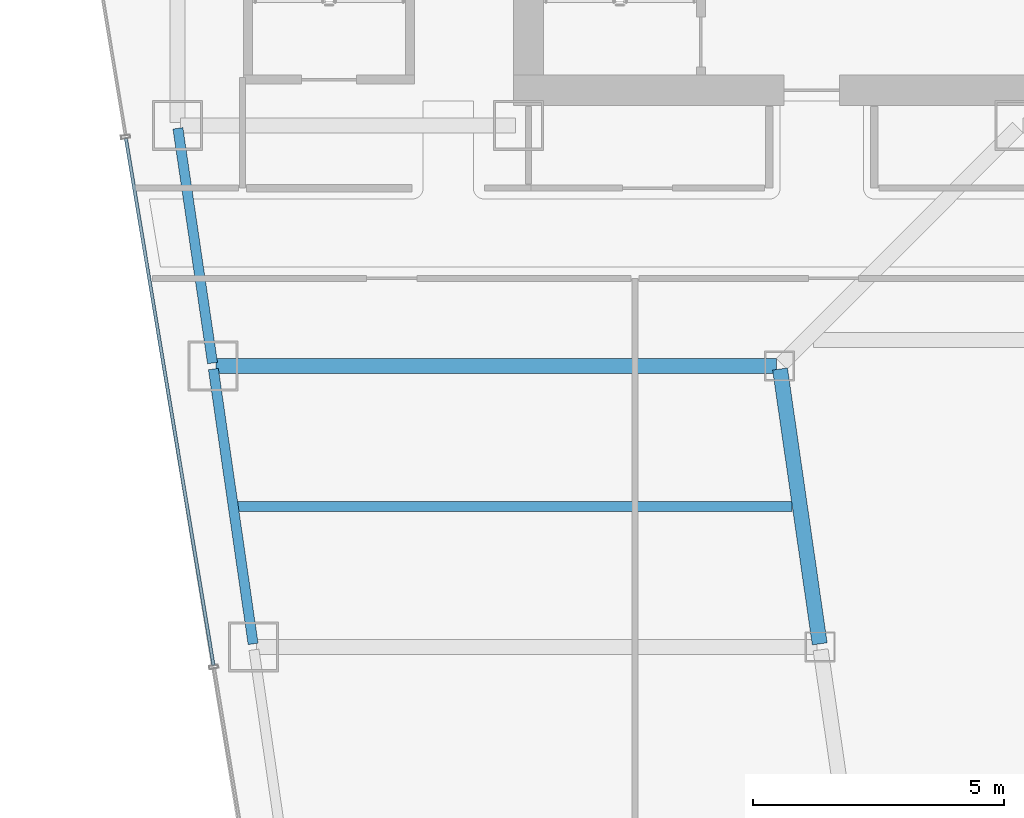
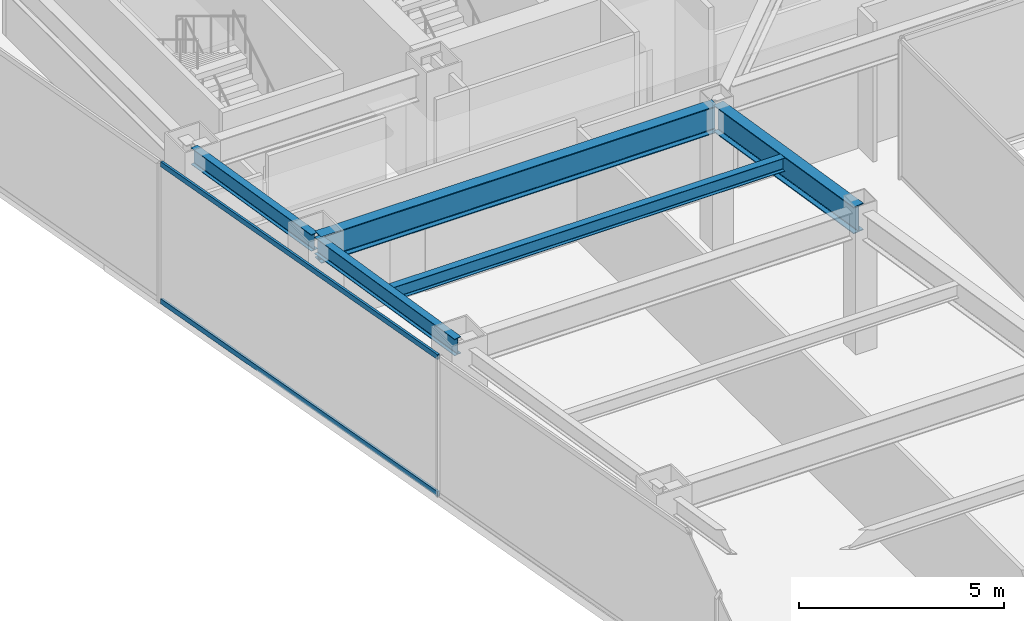
# One storey, part 14 of 35: 5 beams, 2 members, 1 element without a shape of its own.
"""IFC4 building model written with IfcOpenShell, lengths in metres."""

from ifc_helpers import new_model, si_unit, direction, frame, origin, origin_2d, place, context, subcontext, project, spatial, hollow_rectangle, i_section, extrude, material, material_profile, profile_set, type_object, element, aggregate, save


model = new_model("IFC4")

# Units and contexts
model_context = context("Model", 3, precision=1e-05, world=origin(), true_north=direction((0.0, 1.0)))
body_context = subcontext(model_context, "Body", "Model", "MODEL_VIEW")
ifc_project = project(units=[si_unit("LENGTHUNIT", "METRE"), si_unit("AREAUNIT", "SQUARE_METRE"), si_unit("VOLUMEUNIT", "CUBIC_METRE"), si_unit("PLANEANGLEUNIT", "RADIAN"), si_unit("MASSUNIT", "GRAM", prefix="KILO")], contexts=[model_context])

# Site, building, storey
site_placement = place(None, origin())
site = spatial("IfcSite", under=ifc_project, at=site_placement, CompositionType="ELEMENT")
building_placement = place(site_placement, origin())
building = spatial("IfcBuilding", under=site, at=building_placement, Name="Saevonmaru Cultural Tower", CompositionType="ELEMENT")
storey_placement = place(building_placement, frame((0.0, 0.0, 101.60009765625)))
storey = spatial("IfcBuildingStorey", under=building, at=storey_placement, Name="L21", CompositionType="ELEMENT", Elevation=101.60009765625)

# Beams
ifc_material_1 = material(Name="Steel SM420", Category="steel")
ifc_material_profile_1 = material_profile(ifc_material_1, i_section(OverallWidth=0.300048828125, OverallDepth=0.800048828125, WebThickness=0.013916015625, FlangeThickness=0.02587890625, FilletRadius=0.028076171875, at=origin_2d()), Name="H-800x300x14x26")
ifc_profile_set_1 = profile_set([ifc_material_profile_1], Name="Steel SM420")
beam_type_1 = type_object("IfcBeamType", Name="BM-G-H800", PredefinedType="BEAM", material=ifc_profile_set_1)
beam_1_placement = place(storey_placement, frame((19.6083984375, 32.059326171875, 3.75), z_axis=(-0.142964121327, 0.989727871697, 0.0), x_axis=(-0.989727871697, -0.142964121327, 0.0)))
element("IfcBeam", 1, at=beam_1_placement, inside=storey, type_object=beam_type_1, Name="L21 West Atrium Girder 4", PredefinedType="BEAM", context=body_context, shape_type="SweptSolid", body=[
    extrude(i_section(OverallWidth=0.300048828125, OverallDepth=0.800048828125, WebThickness=0.013916015625, FlangeThickness=0.02587890625, FilletRadius=0.028076171875, at=origin_2d()), origin(), (0.0, 0.0, 1.0), 5.5380859375),
])
beam_2_placement = place(storey_placement, frame((7.568115234375, 37.60009765625, 3.75), z_axis=(1.0, 0.0, 0.0), x_axis=(0.0, 1.0, 0.0)))
element("IfcBeam", 2, at=beam_2_placement, inside=storey, type_object=beam_type_1, Name="L21 West Wing Transverse Girder 5", PredefinedType="BEAM", context=body_context, shape_type="SweptSolid", body=[
    extrude(i_section(OverallWidth=0.300048828125, OverallDepth=0.800048828125, WebThickness=0.013916015625, FlangeThickness=0.02587890625, FilletRadius=0.028076171875, at=origin_2d()), origin(), (0.0, 0.0, 1.0), 11.179931640625),
])
ifc_material_2 = material(Name="Steel SM355", Category="steel")
ifc_material_profile_2 = material_profile(ifc_material_2, i_section(OverallWidth=0.199951171875, OverallDepth=0.39990234375, WebThickness=0.008056640625, FlangeThickness=0.012939453125, FilletRadius=0.01611328125, at=origin_2d()), Name="H-400x200x8x13")
ifc_profile_set_2 = profile_set([ifc_material_profile_2], Name="Steel SM355")
beam_type_2 = type_object("IfcBeamType", Name="BM-J-H400", PredefinedType="JOIST", material=ifc_profile_set_2)
beam_3_placement = place(storey_placement, frame((7.972412109375, 34.800048828125, 3.949951171875), z_axis=(1.0, 0.0, 0.0), x_axis=(0.0, 1.0, 0.0)))
element("IfcBeam", 3, at=beam_3_placement, inside=storey, type_object=beam_type_2, Name="L21 West Wing Floor Joist 4", PredefinedType="JOIST", context=body_context, shape_type="SweptSolid", body=[
    extrude(i_section(OverallWidth=0.199951171875, OverallDepth=0.39990234375, WebThickness=0.008056640625, FlangeThickness=0.012939453125, FilletRadius=0.01611328125, at=origin_2d()), origin(), (0.0, 0.0, 1.0), 11.08203125),
])
ifc_material_profile_3 = material_profile(ifc_material_2, i_section(OverallWidth=0.199951171875, OverallDepth=0.5, WebThickness=0.010009765625, FlangeThickness=0.01611328125, FilletRadius=0.02001953125, at=origin_2d()), Name="H-500x200x10x16")
ifc_profile_set_3 = profile_set([ifc_material_profile_3], Name="Steel SM355")
beam_type_3 = type_object("IfcBeamType", Name="BM-SP-H500", PredefinedType="SPANDREL", material=ifc_profile_set_3)
beam_4_placement = place(storey_placement, frame((8.308349609375, 32.059326171875, 3.89990234375), z_axis=(-0.142964121327, 0.989727871697, 0.0), x_axis=(-0.989727871697, -0.142964121327, 0.0)))
element("IfcBeam", 4, at=beam_4_placement, inside=storey, type_object=beam_type_3, Name="L21 West Splayed Spandrel 4", PredefinedType="SPANDREL", context=body_context, shape_type="SweptSolid", body=[
    extrude(i_section(OverallWidth=0.199951171875, OverallDepth=0.5, WebThickness=0.010009765625, FlangeThickness=0.01611328125, FilletRadius=0.02001953125, at=origin_2d()), origin(), (0.0, 0.0, 1.0), 5.5380859375),
])
beam_5_placement = place(storey_placement, frame((7.499267578125, 37.659423828125, 3.89990234375), z_axis=(-0.145912860028, 0.989297446312, 0.0), x_axis=(-0.989297446312, -0.145912860028, 0.0)))
element("IfcBeam", 5, at=beam_5_placement, inside=storey, type_object=beam_type_3, Name="L21 West Splayed Spandrel 5", PredefinedType="SPANDREL", context=body_context, shape_type="SweptSolid", body=[
    extrude(i_section(OverallWidth=0.199951171875, OverallDepth=0.5, WebThickness=0.010009765625, FlangeThickness=0.01611328125, FilletRadius=0.02001953125, at=origin_2d()), origin(), (0.0, 0.0, 1.0), 4.731689453125),
])

# Curtain wall, members
ifc_material_3 = material(Name="Satin Bronze Anodised Aluminium", Category="aluminium")
curtain_wall_type = type_object("IfcCurtainWallType", Name="CW-TYP-A", PredefinedType="NOTDEFINED", material=ifc_material_3)
curtain_wall_placement = place(storey_placement, origin())
curtain_wall = element("IfcCurtainWall", 6, at=curtain_wall_placement, inside=storey, type_object=curtain_wall_type, Name="L21 Unitised Curtain Wall E12", PredefinedType="NOTDEFINED")
ifc_material_profile_4 = material_profile(ifc_material_3, hollow_rectangle(XDim=0.06494140625, YDim=0.14990234375, WallThickness=0.00390625, at=origin_2d()), Name="ALU-TRAN-150x65x4")
ifc_profile_set_4 = profile_set([ifc_material_profile_4], Name="Satin Bronze Anodised Aluminium")
member_type = type_object("IfcMemberType", Name="TR-CW-150x65", PredefinedType="USERDEFINED", material=ifc_profile_set_4)
member_1_placement = place(storey_placement, frame((5.7724609375, 42.138427734375, 0.032470703125), z_axis=(0.163990079074, -0.9864619881, 0.0), x_axis=(0.9864619881, 0.163990079074, 0.0)))
member_1 = element("IfcMember", 7, at=member_1_placement, type_object=member_type, Name="CW-TW-L21-E12 transom 2.1", ObjectType="TRANSOM", PredefinedType="USERDEFINED", context=body_context, shape_type="SweptSolid", body=[
    extrude(hollow_rectangle(XDim=0.06494140625, YDim=0.14990234375, WallThickness=0.00390625, at=origin_2d()), origin(), (0.0, 0.0, 1.0), 10.650634765625),
])
member_2_placement = place(storey_placement, frame((5.7724609375, 42.138427734375, 4.117431640625), z_axis=(0.163990079074, -0.9864619881, 0.0), x_axis=(0.9864619881, 0.163990079074, 0.0)))
member_2 = element("IfcMember", 8, at=member_2_placement, type_object=member_type, Name="CW-TW-L21-E12 transom 2.2", ObjectType="TRANSOM", PredefinedType="USERDEFINED", context=body_context, shape_type="SweptSolid", body=[
    extrude(hollow_rectangle(XDim=0.06494140625, YDim=0.14990234375, WallThickness=0.00390625, at=origin_2d()), origin(), (0.0, 0.0, 1.0), 10.650634765625),
])
aggregate(curtain_wall, [member_1, member_2])

save(model, "model.ifc")
